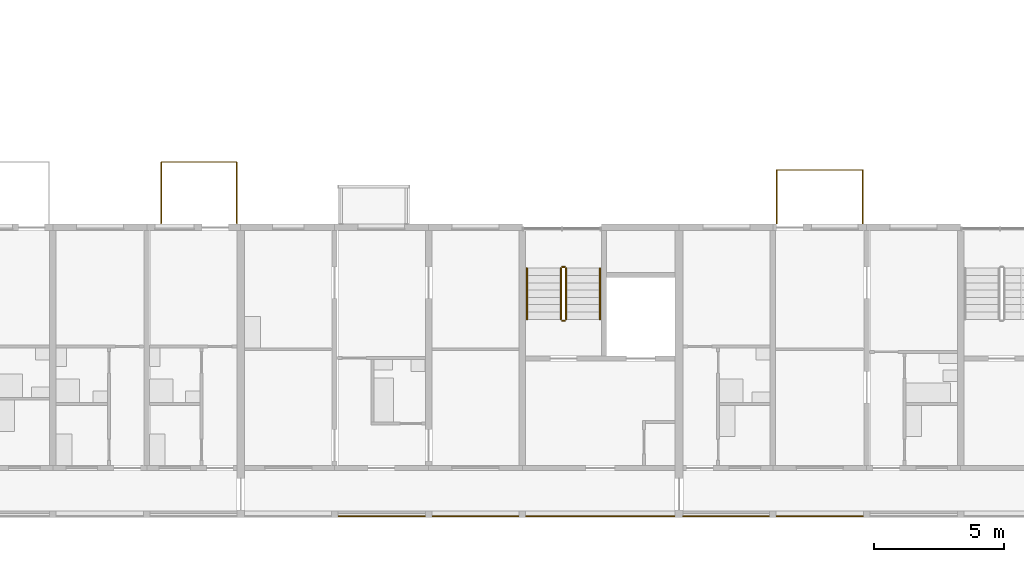
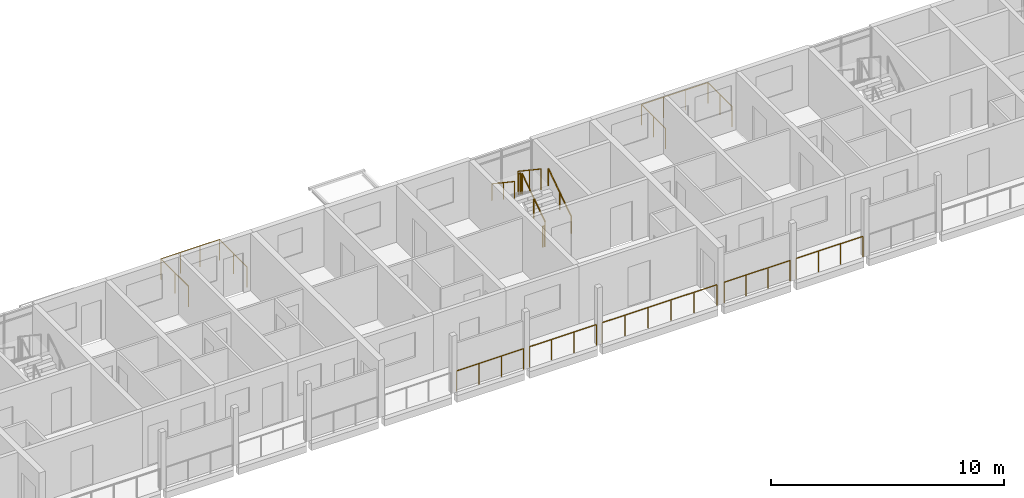
# One storey, part 89 of 99: 13 railings.
"""IFC4 building model written with IfcOpenShell, lengths in metres."""

from ifc_helpers import new_model, si_unit, direction, frame, origin, origin_2d, place, context, subcontext, project, spatial, circle, extrude, material, type_object, element, save


model = new_model("IFC4")

# Units and contexts
model_context = context("Model", 3, precision=1e-05, world=origin(), true_north=direction((0.0, 1.0)))
body_context = subcontext(model_context, "Body", "Model", "MODEL_VIEW")
ifc_project = project(units=[si_unit("LENGTHUNIT", "METRE"), si_unit("AREAUNIT", "SQUARE_METRE"), si_unit("VOLUMEUNIT", "CUBIC_METRE"), si_unit("PLANEANGLEUNIT", "RADIAN"), si_unit("MASSUNIT", "GRAM", prefix="KILO")], contexts=[model_context])

# Site, building, storey
site_placement = place(None, origin())
site = spatial("IfcSite", under=ifc_project, at=site_placement, CompositionType="ELEMENT")
building_placement = place(site_placement, origin())
building = spatial("IfcBuilding", under=site, at=building_placement, Name="Ridgestep Commons", CompositionType="ELEMENT")
storey_placement = place(building_placement, frame((0.0, 0.0, 15.0)))
storey = spatial("IfcBuildingStorey", under=building, at=storey_placement, Name="L05", CompositionType="ELEMENT", Elevation=15.0)

# Railings
ifc_material_1 = material(Name="Structural steel S355JR", Category="steel")
railing_type_1 = type_object("IfcRailingType", Name="Guard 1100", PredefinedType="GUARDRAIL", material=ifc_material_1)
railing_1_placement = place(storey_placement, frame((184.14599609375, 11.800048828125, 0.0)))
element("IfcRailing", 1, at=railing_1_placement, inside=storey, type_object=railing_type_1, Name="Gallery guard D 05.10", PredefinedType="GUARDRAIL", context=body_context, shape_type="SweptSolid", body=[
    extrude(circle(Radius=0.02392578125, at=origin_2d()), frame((0.0, 0.0, 1.076171875), z_axis=(1.0, 0.0, 0.0), x_axis=(0.0, 1.0, 0.0)), (0.0, 0.0, 1.0), 3.30810546875),
    extrude(circle(Radius=0.02099609375, at=origin_2d()), origin(), (0.0, 0.0, 1.0), 1.052001953125),
    extrude(circle(Radius=0.02099609375, at=origin_2d()), frame((1.102783203125, 0.0, 0.0)), (0.0, 0.0, 1.0), 1.052001953125),
    extrude(circle(Radius=0.02099609375, at=origin_2d()), frame((2.205322265625, 0.0, 0.0)), (0.0, 0.0, 1.0), 1.052001953125),
    extrude(circle(Radius=0.02099609375, at=origin_2d()), frame((3.30810546875, 0.0, 0.0)), (0.0, 0.0, 1.0), 1.052001953125),
])
railing_2_placement = place(storey_placement, frame((187.74609375, 11.800048828125, 0.0)))
element("IfcRailing", 2, at=railing_2_placement, inside=storey, type_object=railing_type_1, Name="Gallery guard D 05.11", PredefinedType="GUARDRAIL", context=body_context, shape_type="SweptSolid", body=[
    extrude(circle(Radius=0.02392578125, at=origin_2d()), frame((0.0, 0.0, 1.076171875), z_axis=(1.0, 0.0, 0.0), x_axis=(0.0, 1.0, 0.0)), (0.0, 0.0, 1.0), 3.307861328125),
    extrude(circle(Radius=0.02099609375, at=origin_2d()), origin(), (0.0, 0.0, 1.0), 1.052001953125),
    extrude(circle(Radius=0.02099609375, at=origin_2d()), frame((1.1025390625, 0.0, 0.0)), (0.0, 0.0, 1.0), 1.052001953125),
    extrude(circle(Radius=0.02099609375, at=origin_2d()), frame((2.205322265625, 0.0, 0.0)), (0.0, 0.0, 1.0), 1.052001953125),
    extrude(circle(Radius=0.02099609375, at=origin_2d()), frame((3.307861328125, 0.0, 0.0)), (0.0, 0.0, 1.0), 1.052001953125),
])
railing_3_placement = place(storey_placement, frame((191.345947265625, 11.800048828125, 0.0)))
element("IfcRailing", 3, at=railing_3_placement, inside=storey, type_object=railing_type_1, Name="Gallery guard D 05.12", PredefinedType="GUARDRAIL", context=body_context, shape_type="SweptSolid", body=[
    extrude(circle(Radius=0.02392578125, at=origin_2d()), frame((0.0, 0.0, 1.076171875), z_axis=(1.0, 0.0, 0.0), x_axis=(0.0, 1.0, 0.0)), (0.0, 0.0, 1.0), 5.68310546875),
    extrude(circle(Radius=0.02099609375, at=origin_2d()), origin(), (0.0, 0.0, 1.0), 1.052001953125),
    extrude(circle(Radius=0.02099609375, at=origin_2d()), frame((1.13671875, 0.0, 0.0)), (0.0, 0.0, 1.0), 1.052001953125),
    extrude(circle(Radius=0.02099609375, at=origin_2d()), frame((2.273193359375, 0.0, 0.0)), (0.0, 0.0, 1.0), 1.052001953125),
    extrude(circle(Radius=0.02099609375, at=origin_2d()), frame((3.409912109375, 0.0, 0.0)), (0.0, 0.0, 1.0), 1.052001953125),
    extrude(circle(Radius=0.02099609375, at=origin_2d()), frame((4.54638671875, 0.0, 0.0)), (0.0, 0.0, 1.0), 1.052001953125),
    extrude(circle(Radius=0.02099609375, at=origin_2d()), frame((5.68310546875, 0.0, 0.0)), (0.0, 0.0, 1.0), 1.052001953125),
])
railing_4_placement = place(storey_placement, frame((197.37109375, 11.800048828125, 0.0)))
element("IfcRailing", 4, at=railing_4_placement, inside=storey, type_object=railing_type_1, Name="Gallery guard D 05.13", PredefinedType="GUARDRAIL", context=body_context, shape_type="SweptSolid", body=[
    extrude(circle(Radius=0.02392578125, at=origin_2d()), frame((0.0, 0.0, 1.076171875), z_axis=(1.0, 0.0, 0.0), x_axis=(0.0, 1.0, 0.0)), (0.0, 0.0, 1.0), 3.282958984375),
    extrude(circle(Radius=0.02099609375, at=origin_2d()), origin(), (0.0, 0.0, 1.0), 1.052001953125),
    extrude(circle(Radius=0.02099609375, at=origin_2d()), frame((1.09423828125, 0.0, 0.0)), (0.0, 0.0, 1.0), 1.052001953125),
    extrude(circle(Radius=0.02099609375, at=origin_2d()), frame((2.188720703125, 0.0, 0.0)), (0.0, 0.0, 1.0), 1.052001953125),
    extrude(circle(Radius=0.02099609375, at=origin_2d()), frame((3.282958984375, 0.0, 0.0)), (0.0, 0.0, 1.0), 1.052001953125),
])
railing_5_placement = place(storey_placement, frame((200.946044921875, 11.800048828125, 0.0)))
element("IfcRailing", 5, at=railing_5_placement, inside=storey, type_object=railing_type_1, Name="Gallery guard D 05.14", PredefinedType="GUARDRAIL", context=body_context, shape_type="SweptSolid", body=[
    extrude(circle(Radius=0.02392578125, at=origin_2d()), frame((0.0, 0.0, 1.076171875), z_axis=(1.0, 0.0, 0.0), x_axis=(0.0, 1.0, 0.0)), (0.0, 0.0, 1.0), 3.307861328125),
    extrude(circle(Radius=0.02099609375, at=origin_2d()), origin(), (0.0, 0.0, 1.0), 1.052001953125),
    extrude(circle(Radius=0.02099609375, at=origin_2d()), frame((1.1025390625, 0.0, 0.0)), (0.0, 0.0, 1.0), 1.052001953125),
    extrude(circle(Radius=0.02099609375, at=origin_2d()), frame((2.205322265625, 0.0, 0.0)), (0.0, 0.0, 1.0), 1.052001953125),
    extrude(circle(Radius=0.02099609375, at=origin_2d()), frame((3.307861328125, 0.0, 0.0)), (0.0, 0.0, 1.0), 1.052001953125),
])
ifc_material_2 = material(Name="Structural steel S355JR", Category="steel")
railing_type_2 = type_object("IfcRailingType", Name="Stair guard 1100", PredefinedType="GUARDRAIL", material=ifc_material_2)
railing_6_placement = place(storey_placement, frame((192.875, 19.35009765625, 0.1875)))
element("IfcRailing", 6, at=railing_6_placement, inside=storey, type_object=railing_type_2, Name="L05 D3C stair guard 1", PredefinedType="GUARDRAIL", context=body_context, shape_type="SweptSolid", body=[
    extrude(circle(Radius=0.02392578125, at=origin_2d()), frame((0.0, 0.0, 1.076171875), z_axis=(0.0, 0.830902050051, 0.556418712142), x_axis=(-1.0, 0.0, 0.0)), (0.0, 0.0, 1.0), 2.35888671875),
    extrude(circle(Radius=0.02099609375, at=origin_2d()), origin(), (0.0, 0.0, 1.0), 1.052001953125),
    extrude(circle(Radius=0.02099609375, at=origin_2d()), frame((0.0, 0.97998046875, 0.65625)), (0.0, 0.0, 1.0), 1.052001953125),
    extrude(circle(Radius=0.02099609375, at=origin_2d()), frame((0.0, 1.9599609375, 1.3125)), (0.0, 0.0, 1.0), 1.052001953125),
])
railing_7_placement = place(storey_placement, frame((192.824951171875, 21.360107421875, 1.5)))
element("IfcRailing", 7, at=railing_7_placement, inside=storey, type_object=railing_type_2, Name="L05 D3C stair guard 2", PredefinedType="GUARDRAIL", context=body_context, shape_type="SweptSolid", body=[
    extrude(circle(Radius=0.02392578125, at=origin_2d()), frame((0.0, 0.0, 1.076171875), z_axis=(-1.0, 0.0, 0.0), x_axis=(0.0, -1.0, 0.0)), (0.0, 0.0, 1.0), 0.099853515625),
    extrude(circle(Radius=0.02099609375, at=origin_2d()), origin(), (0.0, 0.0, 1.0), 1.052001953125),
    extrude(circle(Radius=0.02099609375, at=origin_2d()), frame((-0.099853515625, 0.0, 0.0)), (0.0, 0.0, 1.0), 1.052001953125),
])
railing_8_placement = place(storey_placement, frame((192.675048828125, 21.31005859375, 1.6875)))
element("IfcRailing", 8, at=railing_8_placement, inside=storey, type_object=railing_type_2, Name="L05 D3C stair guard 3", PredefinedType="GUARDRAIL", context=body_context, shape_type="SweptSolid", body=[
    extrude(circle(Radius=0.02392578125, at=origin_2d()), frame((0.0, 0.0, 1.076171875), z_axis=(0.0, -0.830902050051, 0.556418712142), x_axis=(1.0, 0.0, 0.0)), (0.0, 0.0, 1.0), 2.35888671875),
    extrude(circle(Radius=0.02099609375, at=origin_2d()), origin(), (0.0, 0.0, 1.0), 1.052001953125),
    extrude(circle(Radius=0.02099609375, at=origin_2d()), frame((0.0, -0.97998046875, 0.65625)), (0.0, 0.0, 1.0), 1.052001953125),
    extrude(circle(Radius=0.02099609375, at=origin_2d()), frame((0.0, -1.9599609375, 1.3125)), (0.0, 0.0, 1.0), 1.052001953125),
])
railing_9_placement = place(storey_placement, frame((192.824951171875, 19.300048828125, 0.0)))
element("IfcRailing", 9, at=railing_9_placement, inside=storey, type_object=railing_type_2, Name="L05 D3C stair guard 4", PredefinedType="GUARDRAIL", context=body_context, shape_type="SweptSolid", body=[
    extrude(circle(Radius=0.02392578125, at=origin_2d()), frame((0.0, 0.0, 1.076171875), z_axis=(-1.0, 0.0, 0.0), x_axis=(0.0, -1.0, 0.0)), (0.0, 0.0, 1.0), 0.099853515625),
    extrude(circle(Radius=0.02099609375, at=origin_2d()), origin(), (0.0, 0.0, 1.0), 1.052001953125),
    extrude(circle(Radius=0.02099609375, at=origin_2d()), frame((-0.099853515625, 0.0, 0.0)), (0.0, 0.0, 1.0), 1.052001953125),
])
ifc_material_3 = material(Name="Structural steel S355JR", Category="steel")
railing_type_3 = type_object("IfcRailingType", Name="Stair handrail 900", PredefinedType="HANDRAIL", material=ifc_material_3)
railing_10_placement = place(storey_placement, frame((194.175048828125, 19.35009765625, 0.1875)))
element("IfcRailing", 10, at=railing_10_placement, inside=storey, type_object=railing_type_3, Name="L05 D3C stair handrail 1", PredefinedType="HANDRAIL", context=body_context, shape_type="SweptSolid", body=[
    extrude(circle(Radius=0.02392578125, at=origin_2d()), frame((0.0, 0.0, 0.8759765625), z_axis=(0.0, 0.830902050051, 0.556418712142), x_axis=(-1.0, 0.0, 0.0)), (0.0, 0.0, 1.0), 2.35888671875),
    extrude(circle(Radius=0.02099609375, at=origin_2d()), origin(), (0.0, 0.0, 1.0), 0.851806640625),
    extrude(circle(Radius=0.02099609375, at=origin_2d()), frame((0.0, 0.97998046875, 0.65625)), (0.0, 0.0, 1.0), 0.851806640625),
    extrude(circle(Radius=0.02099609375, at=origin_2d()), frame((0.0, 1.9599609375, 1.3125)), (0.0, 0.0, 1.0), 0.851806640625),
])
railing_11_placement = place(storey_placement, frame((191.375, 21.31005859375, 1.6875)))
element("IfcRailing", 11, at=railing_11_placement, inside=storey, type_object=railing_type_3, Name="L05 D3C stair handrail 2", PredefinedType="HANDRAIL", context=body_context, shape_type="SweptSolid", body=[
    extrude(circle(Radius=0.02392578125, at=origin_2d()), frame((0.0, 0.0, 0.8759765625), z_axis=(0.0, -0.830902050051, 0.556418712142), x_axis=(1.0, 0.0, 0.0)), (0.0, 0.0, 1.0), 2.35888671875),
    extrude(circle(Radius=0.02099609375, at=origin_2d()), origin(), (0.0, 0.0, 1.0), 0.851806640625),
    extrude(circle(Radius=0.02099609375, at=origin_2d()), frame((0.0, -0.97998046875, 0.65625)), (0.0, 0.0, 1.0), 0.851806640625),
    extrude(circle(Radius=0.02099609375, at=origin_2d()), frame((0.0, -1.9599609375, 1.3125)), (0.0, 0.0, 1.0), 0.851806640625),
])
ifc_material_4 = material(Name="Weathering steel S355J2W", Category="steel")
railing_type_4 = type_object("IfcRailingType", Name="Tray guard 1100", PredefinedType="GUARDRAIL", material=ifc_material_4)
railing_12_placement = place(storey_placement, frame((200.950927734375, 23.02099609375, 0.0)))
element("IfcRailing", 12, at=railing_12_placement, inside=storey, type_object=railing_type_4, Name="Tray guard D4T2-05", PredefinedType="GUARDRAIL", context=body_context, shape_type="SweptSolid", body=[
    extrude(circle(Radius=0.02392578125, at=origin_2d()), frame((0.0, 0.0, 1.076171875), z_axis=(0.0, 1.0, 0.0), x_axis=(-1.0, 0.0, 0.0)), (0.0, 0.0, 1.0), 2.05810546875),
    extrude(circle(Radius=0.02392578125, at=origin_2d()), frame((0.0, 2.05810546875, 1.076171875), z_axis=(1.0, 0.0, 0.0), x_axis=(0.0, 1.0, 0.0)), (0.0, 0.0, 1.0), 3.298095703125),
    extrude(circle(Radius=0.02392578125, at=origin_2d()), frame((3.298095703125, 2.05810546875, 1.076171875), z_axis=(0.0, -1.0, 0.0), x_axis=(1.0, 0.0, 0.0)), (0.0, 0.0, 1.0), 2.05810546875),
    extrude(circle(Radius=0.02099609375, at=origin_2d()), origin(), (0.0, 0.0, 1.0), 1.052001953125),
    extrude(circle(Radius=0.02099609375, at=origin_2d()), frame((0.0, 1.029052734375, 0.0)), (0.0, 0.0, 1.0), 1.052001953125),
    extrude(circle(Radius=0.02099609375, at=origin_2d()), frame((0.0, 2.05810546875, 0.0)), (0.0, 0.0, 1.0), 1.052001953125),
    extrude(circle(Radius=0.02099609375, at=origin_2d()), frame((1.099365234375, 2.05810546875, 0.0)), (0.0, 0.0, 1.0), 1.052001953125),
    extrude(circle(Radius=0.02099609375, at=origin_2d()), frame((2.19873046875, 2.05810546875, 0.0)), (0.0, 0.0, 1.0), 1.052001953125),
    extrude(circle(Radius=0.02099609375, at=origin_2d()), frame((3.298095703125, 2.05810546875, 0.0)), (0.0, 0.0, 1.0), 1.052001953125),
    extrude(circle(Radius=0.02099609375, at=origin_2d()), frame((3.298095703125, 1.029052734375, 0.0)), (0.0, 0.0, 1.0), 1.052001953125),
    extrude(circle(Radius=0.02099609375, at=origin_2d()), frame((3.298095703125, 0.0, 0.0)), (0.0, 0.0, 1.0), 1.052001953125),
])
railing_13_placement = place(storey_placement, frame((177.35107421875, 23.02099609375, 0.0)))
element("IfcRailing", 13, at=railing_13_placement, inside=storey, type_object=railing_type_4, Name="Tray guard D2T1-05", PredefinedType="GUARDRAIL", context=body_context, shape_type="SweptSolid", body=[
    extrude(circle(Radius=0.02392578125, at=origin_2d()), frame((0.0, 0.0, 1.076171875), z_axis=(0.0, 1.0, 0.0), x_axis=(-1.0, 0.0, 0.0)), (0.0, 0.0, 1.0), 2.35791015625),
    extrude(circle(Radius=0.02392578125, at=origin_2d()), frame((0.0, 2.35791015625, 1.076171875), z_axis=(1.0, 0.0, 0.0), x_axis=(0.0, 1.0, 0.0)), (0.0, 0.0, 1.0), 2.89794921875),
    extrude(circle(Radius=0.02392578125, at=origin_2d()), frame((2.89794921875, 2.35791015625, 1.076171875), z_axis=(0.0, -1.0, 0.0), x_axis=(1.0, 0.0, 0.0)), (0.0, 0.0, 1.0), 2.35791015625),
    extrude(circle(Radius=0.02099609375, at=origin_2d()), origin(), (0.0, 0.0, 1.0), 1.052001953125),
    extrude(circle(Radius=0.02099609375, at=origin_2d()), frame((0.0, 1.178955078125, 0.0)), (0.0, 0.0, 1.0), 1.052001953125),
    extrude(circle(Radius=0.02099609375, at=origin_2d()), frame((0.0, 2.35791015625, 0.0)), (0.0, 0.0, 1.0), 1.052001953125),
    extrude(circle(Radius=0.02099609375, at=origin_2d()), frame((0.966064453125, 2.35791015625, 0.0)), (0.0, 0.0, 1.0), 1.052001953125),
    extrude(circle(Radius=0.02099609375, at=origin_2d()), frame((1.931884765625, 2.35791015625, 0.0)), (0.0, 0.0, 1.0), 1.052001953125),
    extrude(circle(Radius=0.02099609375, at=origin_2d()), frame((2.89794921875, 2.35791015625, 0.0)), (0.0, 0.0, 1.0), 1.052001953125),
    extrude(circle(Radius=0.02099609375, at=origin_2d()), frame((2.89794921875, 1.178955078125, 0.0)), (0.0, 0.0, 1.0), 1.052001953125),
    extrude(circle(Radius=0.02099609375, at=origin_2d()), frame((2.89794921875, 0.0, 0.0)), (0.0, 0.0, 1.0), 1.052001953125),
])

save(model, "model.ifc")
